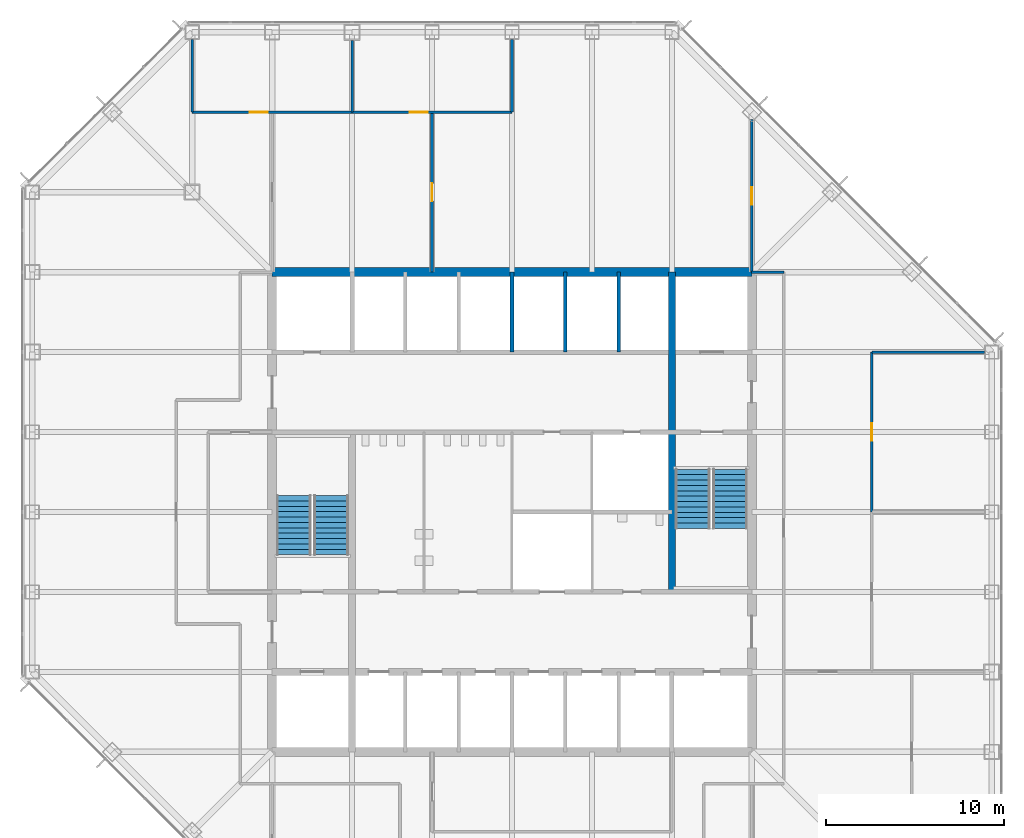
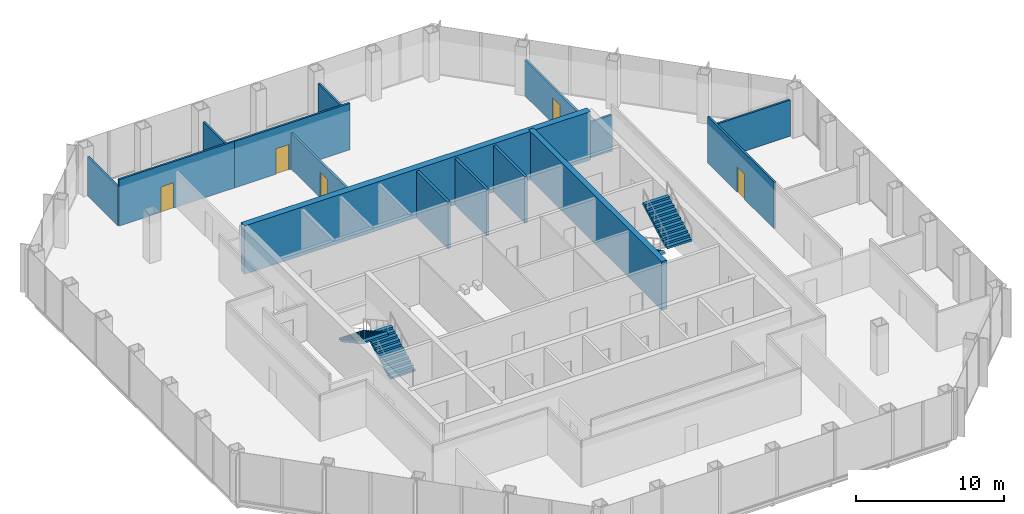
# One storey, part 10 of 12: 15 walls, 5 doors, 4 stair flights, 5 openings, 2 elements without a shape of their own.
"""IFC4 building model written with IfcOpenShell, lengths in metres."""

from ifc_helpers import new_model, si_unit, direction, frame, frame_2d, origin, place, context, subcontext, project, spatial, polyline, rectangle, outline, extrude, material, layer, layer_set, type_object, element, fill, aggregate, save


model = new_model("IFC4")

# Units and contexts
model_context = context("Model", 3, precision=1e-05, world=origin(), true_north=direction((0.0, 1.0)))
body_context = subcontext(model_context, "Body", "Model", "MODEL_VIEW")
ifc_project = project(units=[si_unit("LENGTHUNIT", "METRE"), si_unit("AREAUNIT", "SQUARE_METRE"), si_unit("VOLUMEUNIT", "CUBIC_METRE"), si_unit("PLANEANGLEUNIT", "RADIAN"), si_unit("MASSUNIT", "GRAM", prefix="KILO")], contexts=[model_context])

# Site, building, storey
site_placement = place(None, origin())
site = spatial("IfcSite", under=ifc_project, at=site_placement, CompositionType="ELEMENT")
building_placement = place(site_placement, origin())
building = spatial("IfcBuilding", under=site, at=building_placement, Name="Corais Broadcast Tower", CompositionType="ELEMENT")
storey_placement = place(building_placement, frame((0.0, 0.0, 115.60009765625)))
storey = spatial("IfcBuildingStorey", under=building, at=storey_placement, Name="L25", CompositionType="ELEMENT", Elevation=115.60009765625)

# Walls
ifc_material_1 = material(Name="Concrete C50/60", Category="concrete")
ifc_layer_1 = layer(ifc_material_1, 0.39990234375)
ifc_layer_set_1 = layer_set([ifc_layer_1], Name="Concrete C50/60")
wall_type_1 = type_object("IfcWallType", Name="Core wall 400", PredefinedType="SHEAR", material=ifc_layer_set_1)
wall_1_placement = place(storey_placement, frame((36.0, 22.5, 0.0), z_axis=(0.0, 0.0, 1.0), x_axis=(0.0, 1.0, 0.0)))
element("IfcWall", 1, at=wall_1_placement, inside=storey, type_object=wall_type_1, Name="CR400 core wall X36B L25", PredefinedType="SHEAR", context=body_context, shape_type="SweptSolid", body=[
    extrude(rectangle(XDim=18.0, YDim=0.39990234375, at=frame_2d((9.0, 0.0))), origin(), (0.0, 0.0, 1.0), 4.0),
])
ifc_material_2 = material(Name="Concrete C50/60", Category="concrete")
ifc_layer_2 = layer(ifc_material_2, 0.5)
ifc_layer_set_2 = layer_set([ifc_layer_2], Name="Concrete C50/60")
wall_type_2 = type_object("IfcWallType", Name="Core wall 500", PredefinedType="SHEAR", material=ifc_layer_set_2)
wall_2_placement = place(storey_placement, frame((40.5, 40.5, 0.0), z_axis=(0.0, 0.0, 1.0), x_axis=(-1.0, 0.0, 0.0)))
element("IfcWall", 2, at=wall_2_placement, inside=storey, type_object=wall_type_2, Name="CR500 core wall N L25", PredefinedType="SHEAR", context=body_context, shape_type="SweptSolid", body=[
    extrude(rectangle(XDim=27.0, YDim=0.5, at=frame_2d((13.5, 0.0))), origin(), (0.0, 0.0, 1.0), 4.0),
])
ifc_material_3 = material(Name="Gypsum board on steel studs", Category="steel")
ifc_layer_3 = layer(ifc_material_3, 0.14990234375)
ifc_layer_set_3 = layer_set([ifc_layer_3], Name="Gypsum board on steel studs")
wall_type_3 = type_object("IfcWallType", Name="Partition 150", PredefinedType="PARTITIONING", material=ifc_layer_set_3)
wall_3_placement = place(storey_placement, frame((42.300048828125, 40.5, 0.0), z_axis=(0.0, 0.0, 1.0), x_axis=(-1.0, 0.0, 0.0)))
element("IfcWall", 3, at=wall_3_placement, inside=storey, type_object=wall_type_3, Name="IW3 corridor wall L25", PredefinedType="PARTITIONING", context=body_context, shape_type="SweptSolid", body=[
    extrude(rectangle(XDim=1.81005859375, YDim=0.14990234375, at=frame_2d((0.905029296875, 0.0))), origin(), (0.0, 0.0, 1.0), 2.989013671875),
])
wall_4_placement = place(storey_placement, frame((53.590087890625, 36.0, 0.0), z_axis=(0.0, 0.0, 1.0), x_axis=(-1.0, 0.0, 0.0)))
element("IfcWall", 4, at=wall_4_placement, inside=storey, type_object=wall_type_3, Name="IW3 partition L25", PredefinedType="PARTITIONING", context=body_context, shape_type="SweptSolid", body=[
    extrude(rectangle(XDim=6.340087890625, YDim=0.14990234375, at=frame_2d((3.169921875, 0.0))), origin(), (0.0, 0.0, 1.0), 2.989013671875),
])

# Wall, opening, door
wall_5_placement = place(storey_placement, frame((47.25, 36.0, 0.0), z_axis=(0.0, 0.0, 1.0), x_axis=(0.0, -1.0, 0.0)))
wall_5 = element("IfcWall", 5, at=wall_5_placement, inside=storey, type_object=wall_type_3, Name="IW3 partition L25", PredefinedType="PARTITIONING", context=body_context, shape_type="SweptSolid", body=[
    extrude(rectangle(XDim=9.0, YDim=0.14990234375, at=frame_2d((4.5, 0.0))), origin(), (0.0, 0.0, 1.0), 3.83984375),
])
opening_1_placement = place(wall_5_placement, frame((4.0, 0.0, 0.0)))
opening_1 = element("IfcOpeningElement", 6, at=opening_1_placement, cuts=wall_5, Name="Opening D1", PredefinedType="OPENING", context=body_context, shape_type="SweptSolid", body=[
    extrude(rectangle(XDim=1.0, YDim=2.10009765625, at=frame_2d((0.5, 1.050048828125))), frame((0.0, 0.0849609375, 0.0), z_axis=(0.0, -1.0, 0.0), x_axis=(1.0, 0.0, 0.0)), (0.0, 0.0, 1.0), 0.169921875),
])
ifc_material_4 = material(Name="Timber door", Category="wood")
door_type = type_object("IfcDoorType", Name="Single door 1000x2100", OperationType="SINGLE_SWING_LEFT", PredefinedType="DOOR", material=ifc_material_4)
door_1_placement = place(opening_1_placement, origin())
door_1 = element("IfcDoor", 7, at=door_1_placement, inside=storey, type_object=door_type, Name="D1 Client lounge door", OperationType="SINGLE_SWING_LEFT", OverallHeight=2.10009765625, OverallWidth=1.0, PredefinedType="DOOR", context=body_context, shape_type="SweptSolid", body=[
    extrude(rectangle(XDim=1.0, YDim=2.10009765625, at=frame_2d((0.5, 1.050048828125))), frame((0.0, 0.02490234375, 0.0), z_axis=(0.0, -1.0, 0.0), x_axis=(1.0, 0.0, 0.0)), (0.0, 0.0, 1.0), 0.050048828125),
])
fill(opening_1, door_1)

wall_6_placement = place(storey_placement, frame((9.0, 49.5, 0.0), z_axis=(0.0, 0.0, 1.0), x_axis=(1.0, 0.0, 0.0)))
wall_6 = element("IfcWall", 8, at=wall_6_placement, inside=storey, type_object=wall_type_3, Name="IW3 partition L25", PredefinedType="PARTITIONING", context=body_context, shape_type="SweptSolid", body=[
    extrude(rectangle(XDim=9.0, YDim=0.14990234375, at=frame_2d((4.5, 0.0))), origin(), (0.0, 0.0, 1.0), 3.83984375),
])
opening_2_placement = place(wall_6_placement, frame((3.25, 0.0, 0.0)))
opening_2 = element("IfcOpeningElement", 9, at=opening_2_placement, cuts=wall_6, Name="Opening D1", PredefinedType="OPENING", context=body_context, shape_type="SweptSolid", body=[
    extrude(rectangle(XDim=1.0, YDim=2.10009765625, at=frame_2d((0.5, 1.050048828125))), frame((0.0, 0.0849609375, 0.0), z_axis=(0.0, -1.0, 0.0), x_axis=(1.0, 0.0, 0.0)), (0.0, 0.0, 1.0), 0.169921875),
])
door_2_placement = place(opening_2_placement, origin())
door_2 = element("IfcDoor", 10, at=door_2_placement, inside=storey, type_object=door_type, Name="D1 Client meeting room door", OperationType="SINGLE_SWING_LEFT", OverallHeight=2.10009765625, OverallWidth=1.0, PredefinedType="DOOR", context=body_context, shape_type="SweptSolid", body=[
    extrude(rectangle(XDim=1.0, YDim=2.10009765625, at=frame_2d((0.5, 1.050048828125))), frame((0.0, 0.02490234375, 0.0), z_axis=(0.0, -1.0, 0.0), x_axis=(1.0, 0.0, 0.0)), (0.0, 0.0, 1.0), 0.050048828125),
])
fill(opening_2, door_2)

# Walls
wall_7_placement = place(storey_placement, frame((18.0, 49.5, 0.0), z_axis=(0.0, 0.0, 1.0), x_axis=(0.0, 1.0, 0.0)))
element("IfcWall", 11, at=wall_7_placement, inside=storey, type_object=wall_type_3, Name="IW3 partition L25", PredefinedType="PARTITIONING", context=body_context, shape_type="SweptSolid", body=[
    extrude(rectangle(XDim=4.0400390625, YDim=0.14990234375, at=frame_2d((2.02001953125, 0.0))), origin(), (0.0, 0.0, 1.0), 2.989013671875),
])
wall_8_placement = place(storey_placement, frame((9.0, 53.590087890625, 0.0), z_axis=(0.0, 0.0, 1.0), x_axis=(0.0, -1.0, 0.0)))
element("IfcWall", 12, at=wall_8_placement, inside=storey, type_object=wall_type_3, Name="IW3 partition L25", PredefinedType="PARTITIONING", context=body_context, shape_type="SweptSolid", body=[
    extrude(rectangle(XDim=4.090087890625, YDim=0.14990234375, at=frame_2d((2.044921875, 0.0))), origin(), (0.0, 0.0, 1.0), 3.22900390625),
])

# Wall, opening, door
wall_9_placement = place(storey_placement, frame((18.0, 49.5, 0.0), z_axis=(0.0, 0.0, 1.0), x_axis=(1.0, 0.0, 0.0)))
wall_9 = element("IfcWall", 13, at=wall_9_placement, inside=storey, type_object=wall_type_3, Name="IW3 partition L25", PredefinedType="PARTITIONING", context=body_context, shape_type="SweptSolid", body=[
    extrude(rectangle(XDim=9.0, YDim=0.14990234375, at=frame_2d((4.5, 0.0))), origin(), (0.0, 0.0, 1.0), 3.83984375),
])
opening_3_placement = place(wall_9_placement, frame((3.25, 0.0, 0.0)))
opening_3 = element("IfcOpeningElement", 14, at=opening_3_placement, cuts=wall_9, Name="Opening D1", PredefinedType="OPENING", context=body_context, shape_type="SweptSolid", body=[
    extrude(rectangle(XDim=1.0, YDim=2.10009765625, at=frame_2d((0.5, 1.050048828125))), frame((0.0, 0.0849609375, 0.0), z_axis=(0.0, -1.0, 0.0), x_axis=(1.0, 0.0, 0.0)), (0.0, 0.0, 1.0), 0.169921875),
])
door_3_placement = place(opening_3_placement, origin())
door_3 = element("IfcDoor", 15, at=door_3_placement, inside=storey, type_object=door_type, Name="D1 Client meeting room door", OperationType="SINGLE_SWING_LEFT", OverallHeight=2.10009765625, OverallWidth=1.0, PredefinedType="DOOR", context=body_context, shape_type="SweptSolid", body=[
    extrude(rectangle(XDim=1.0, YDim=2.10009765625, at=frame_2d((0.5, 1.050048828125))), frame((0.0, 0.02490234375, 0.0), z_axis=(0.0, -1.0, 0.0), x_axis=(1.0, 0.0, 0.0)), (0.0, 0.0, 1.0), 0.050048828125),
])
fill(opening_3, door_3)

# Wall
wall_10_placement = place(storey_placement, frame((27.0, 49.5, 0.0), z_axis=(0.0, 0.0, 1.0), x_axis=(0.0, 1.0, 0.0)))
element("IfcWall", 16, at=wall_10_placement, inside=storey, type_object=wall_type_3, Name="IW3 partition L25", PredefinedType="PARTITIONING", context=body_context, shape_type="SweptSolid", body=[
    extrude(rectangle(XDim=4.090087890625, YDim=0.14990234375, at=frame_2d((2.044921875, 0.0))), origin(), (0.0, 0.0, 1.0), 2.989013671875),
])

# Wall, opening, door
wall_11_placement = place(storey_placement, frame((40.5, 49.080078125, 0.0), z_axis=(0.0, 0.0, 1.0), x_axis=(0.0, -1.0, 0.0)))
wall_11 = element("IfcWall", 17, at=wall_11_placement, inside=storey, type_object=wall_type_3, Name="IW3 partition L25", PredefinedType="PARTITIONING", context=body_context, shape_type="SweptSolid", body=[
    extrude(rectangle(XDim=8.580078125, YDim=0.14990234375, at=frame_2d((4.2900390625, 0.0))), origin(), (0.0, 0.0, 1.0), 2.989013671875),
])
opening_4_placement = place(wall_11_placement, frame((3.7900390625, 0.0, 0.0)))
opening_4 = element("IfcOpeningElement", 18, at=opening_4_placement, cuts=wall_11, Name="Opening D1", PredefinedType="OPENING", context=body_context, shape_type="SweptSolid", body=[
    extrude(rectangle(XDim=1.0, YDim=2.10009765625, at=frame_2d((0.5, 1.050048828125))), frame((0.0, 0.0849609375, 0.0), z_axis=(0.0, -1.0, 0.0), x_axis=(1.0, 0.0, 0.0)), (0.0, 0.0, 1.0), 0.169921875),
])
door_4_placement = place(opening_4_placement, origin())
door_4 = element("IfcDoor", 19, at=door_4_placement, inside=storey, type_object=door_type, Name="D1 team room door L25", OperationType="SINGLE_SWING_LEFT", OverallHeight=2.10009765625, OverallWidth=1.0, PredefinedType="DOOR", context=body_context, shape_type="SweptSolid", body=[
    extrude(rectangle(XDim=1.0, YDim=2.10009765625, at=frame_2d((0.5, 1.050048828125))), frame((0.0, 0.02490234375, 0.0), z_axis=(0.0, -1.0, 0.0), x_axis=(1.0, 0.0, 0.0)), (0.0, 0.0, 1.0), 0.050048828125),
])
fill(opening_4, door_4)

wall_12_placement = place(storey_placement, frame((22.5, 40.5, 0.0), z_axis=(0.0, 0.0, 1.0), x_axis=(0.0, 1.0, 0.0)))
wall_12 = element("IfcWall", 20, at=wall_12_placement, inside=storey, type_object=wall_type_3, Name="IW3 partition L25", PredefinedType="PARTITIONING", context=body_context, shape_type="SweptSolid", body=[
    extrude(rectangle(XDim=9.0, YDim=0.14990234375, at=frame_2d((4.5, 0.0))), origin(), (0.0, 0.0, 1.0), 2.989013671875),
])
opening_5_placement = place(wall_12_placement, frame((4.0, 0.0, 0.0)))
opening_5 = element("IfcOpeningElement", 21, at=opening_5_placement, cuts=wall_12, Name="Opening D1", PredefinedType="OPENING", context=body_context, shape_type="SweptSolid", body=[
    extrude(rectangle(XDim=1.0, YDim=2.10009765625, at=frame_2d((0.5, 1.050048828125))), frame((0.0, 0.0849609375, 0.0), z_axis=(0.0, -1.0, 0.0), x_axis=(1.0, 0.0, 0.0)), (0.0, 0.0, 1.0), 0.169921875),
])
door_5_placement = place(opening_5_placement, origin())
door_5 = element("IfcDoor", 22, at=door_5_placement, inside=storey, type_object=door_type, Name="D1 team room door L25", OperationType="SINGLE_SWING_LEFT", OverallHeight=2.10009765625, OverallWidth=1.0, PredefinedType="DOOR", context=body_context, shape_type="SweptSolid", body=[
    extrude(rectangle(XDim=1.0, YDim=2.10009765625, at=frame_2d((0.5, 1.050048828125))), frame((0.0, 0.02490234375, 0.0), z_axis=(0.0, -1.0, 0.0), x_axis=(1.0, 0.0, 0.0)), (0.0, 0.0, 1.0), 0.050048828125),
])
fill(opening_5, door_5)

# Walls
ifc_material_5 = material(Name="Concrete blockwork class A, grouted, two-hour", Category="masonry")
ifc_layer_4 = layer(ifc_material_5, 0.199951171875)
ifc_layer_set_4 = layer_set([ifc_layer_4], Name="Concrete blockwork class A, grouted, two-hour")
wall_type_4 = type_object("IfcWallType", Name="Shaft wall 200", PredefinedType="PARTITIONING", material=ifc_layer_set_4)
for number, where, z_axis, x_axis, name in (
    (23, (27.0, 36.0, 0.0), (0.0, 0.0, 1.0), (0.0, 1.0, 0.0), "IW1 shaft wall L25"),
    (24, (30.0, 36.0, 0.0), (0.0, 0.0, 1.0), (0.0, 1.0, 0.0), "IW1 shaft wall L25"),
    (25, (33.0, 36.0, 0.0), (0.0, 0.0, 1.0), (0.0, 1.0, 0.0), "IW1 shaft wall L25"),
):
    element("IfcWall", number, at=place(storey_placement, frame(where, z_axis=z_axis, x_axis=x_axis)), inside=storey, type_object=wall_type_4, Name=name, PredefinedType="PARTITIONING", context=body_context, shape_type="SweptSolid", body=[
        extrude(rectangle(XDim=4.5, YDim=0.199951171875, at=frame_2d((2.25, 0.0))), origin(), (0.0, 0.0, 1.0), 3.83984375),
    ])

# Stair, stair flights
ifc_material_6 = material(Name="Concrete C30/37", Category="concrete")
stair_type = type_object("IfcStairType", Name="Half-turn stair 4000", PredefinedType="HALF_TURN_STAIR", material=ifc_material_6)
stair_1_placement = place(storey_placement, origin())
stair_1 = element("IfcStair", 26, at=stair_1_placement, inside=storey, type_object=stair_type, Name="Stair A L25", PredefinedType="HALF_TURN_STAIR")
ifc_material_7 = material(Name="Concrete C30/37", Category="concrete")
stair_flight_type = type_object("IfcStairFlightType", Name="Stair flight 4000", PredefinedType="STRAIGHT", material=ifc_material_7)
stair_flight_1_placement = place(storey_placement, frame((16.824951171875, 24.60009765625, 0.0), z_axis=(0.0, 0.0, 1.0), x_axis=(0.0, 1.0, 0.0)))
stair_flight_1 = element("IfcStairFlight", 27, at=stair_flight_1_placement, type_object=stair_flight_type, Name="STA flight 1", NumberOfRisers=12, NumberOfTreads=11, PredefinedType="STRAIGHT", RiserHeight=0.166666667, TreadLength=0.302, context=body_context, shape_type="SweptSolid", body=[
    extrude(outline(polyline([(0.0, 0.0), (0.0, 0.166748046875), (0.302001953125, 0.166748046875), (0.302001953125, 0.333251953125), (0.60400390625, 0.333251953125), (0.60400390625, 0.5), (0.906005859375, 0.5), (0.906005859375, 0.666748046875), (1.2080078125, 0.666748046875), (1.2080078125, 0.833251953125), (1.510009765625, 0.833251953125), (1.510009765625, 1.0), (1.81201171875, 1.0), (1.81201171875, 1.166748046875), (2.114013671875, 1.166748046875), (2.114013671875, 1.333251953125), (2.416015625, 1.333251953125), (2.416015625, 1.5), (2.718017578125, 1.5), (2.718017578125, 1.666748046875), (3.02001953125, 1.666748046875), (3.02001953125, 1.833251953125), (3.322021484375, 1.833251953125), (3.322021484375, 2.0), (3.322021484375, 1.662109375), (0.310302734375, 0.0), (0.0, 0.0)])), frame((0.0, 0.97509765625, 0.0), z_axis=(0.0, -1.0, 0.0), x_axis=(1.0, 0.0, 0.0)), (0.0, 0.0, 1.0), 1.949951171875),
])
stair_flight_2_placement = place(storey_placement, frame((14.72509765625, 27.922119140625, 2.0), z_axis=(0.0, 0.0, 1.0), x_axis=(0.0, -1.0, 0.0)))
stair_flight_2 = element("IfcStairFlight", 28, at=stair_flight_2_placement, type_object=stair_flight_type, Name="STA flight 2", NumberOfRisers=12, NumberOfTreads=11, PredefinedType="STRAIGHT", RiserHeight=0.166666667, TreadLength=0.302, context=body_context, shape_type="SweptSolid", body=[
    extrude(outline(polyline([(0.0, 0.0), (0.0, 0.166748046875), (0.302001953125, 0.166748046875), (0.302001953125, 0.333251953125), (0.60400390625, 0.333251953125), (0.60400390625, 0.5), (0.906005859375, 0.5), (0.906005859375, 0.666748046875), (1.2080078125, 0.666748046875), (1.2080078125, 0.833251953125), (1.510009765625, 0.833251953125), (1.510009765625, 1.0), (1.81201171875, 1.0), (1.81201171875, 1.166748046875), (2.114013671875, 1.166748046875), (2.114013671875, 1.333251953125), (2.416015625, 1.333251953125), (2.416015625, 1.5), (2.718017578125, 1.5), (2.718017578125, 1.666748046875), (3.02001953125, 1.666748046875), (3.02001953125, 1.833251953125), (3.322021484375, 1.833251953125), (3.322021484375, 2.0), (3.322021484375, 1.662109375), (0.310302734375, 0.0), (0.0, 0.0)])), frame((0.0, 0.97509765625, 0.0), z_axis=(0.0, -1.0, 0.0), x_axis=(1.0, 0.0, 0.0)), (0.0, 0.0, 1.0), 1.949951171875),
])
aggregate(stair_1, [stair_flight_1, stair_flight_2])

stair_2_placement = place(storey_placement, origin())
stair_2 = element("IfcStair", 29, at=stair_2_placement, inside=storey, type_object=stair_type, Name="Stair B L25", PredefinedType="HALF_TURN_STAIR")
stair_flight_3_placement = place(storey_placement, frame((37.175048828125, 29.39990234375, 0.0), z_axis=(0.0, 0.0, 1.0), x_axis=(0.0, -1.0, 0.0)))
stair_flight_3 = element("IfcStairFlight", 30, at=stair_flight_3_placement, type_object=stair_flight_type, Name="STB flight 1", NumberOfRisers=12, NumberOfTreads=11, PredefinedType="STRAIGHT", RiserHeight=0.166666667, TreadLength=0.302, context=body_context, shape_type="SweptSolid", body=[
    extrude(outline(polyline([(0.0, 0.0), (0.0, 0.166748046875), (0.302001953125, 0.166748046875), (0.302001953125, 0.333251953125), (0.60400390625, 0.333251953125), (0.60400390625, 0.5), (0.906005859375, 0.5), (0.906005859375, 0.666748046875), (1.2080078125, 0.666748046875), (1.2080078125, 0.833251953125), (1.510009765625, 0.833251953125), (1.510009765625, 1.0), (1.81201171875, 1.0), (1.81201171875, 1.166748046875), (2.114013671875, 1.166748046875), (2.114013671875, 1.333251953125), (2.416015625, 1.333251953125), (2.416015625, 1.5), (2.718017578125, 1.5), (2.718017578125, 1.666748046875), (3.02001953125, 1.666748046875), (3.02001953125, 1.833251953125), (3.322021484375, 1.833251953125), (3.322021484375, 2.0), (3.322021484375, 1.662109375), (0.310302734375, 0.0), (0.0, 0.0)])), frame((0.0, 0.97509765625, 0.0), z_axis=(0.0, -1.0, 0.0), x_axis=(1.0, 0.0, 0.0)), (0.0, 0.0, 1.0), 1.949951171875),
])
stair_flight_4_placement = place(storey_placement, frame((39.27490234375, 26.077880859375, 2.0), z_axis=(0.0, 0.0, 1.0), x_axis=(0.0, 1.0, 0.0)))
stair_flight_4 = element("IfcStairFlight", 31, at=stair_flight_4_placement, type_object=stair_flight_type, Name="STB flight 2", NumberOfRisers=12, NumberOfTreads=11, PredefinedType="STRAIGHT", RiserHeight=0.166666667, TreadLength=0.302, context=body_context, shape_type="SweptSolid", body=[
    extrude(outline(polyline([(0.0, 0.0), (0.0, 0.166748046875), (0.302001953125, 0.166748046875), (0.302001953125, 0.333251953125), (0.60400390625, 0.333251953125), (0.60400390625, 0.5), (0.906005859375, 0.5), (0.906005859375, 0.666748046875), (1.2080078125, 0.666748046875), (1.2080078125, 0.833251953125), (1.510009765625, 0.833251953125), (1.510009765625, 1.0), (1.81201171875, 1.0), (1.81201171875, 1.166748046875), (2.114013671875, 1.166748046875), (2.114013671875, 1.333251953125), (2.416015625, 1.333251953125), (2.416015625, 1.5), (2.718017578125, 1.5), (2.718017578125, 1.666748046875), (3.02001953125, 1.666748046875), (3.02001953125, 1.833251953125), (3.322021484375, 1.833251953125), (3.322021484375, 2.0), (3.322021484375, 1.662109375), (0.310302734375, 0.0), (0.0, 0.0)])), frame((0.0, 0.97509765625, 0.0), z_axis=(0.0, -1.0, 0.0), x_axis=(1.0, 0.0, 0.0)), (0.0, 0.0, 1.0), 1.949951171875),
])
aggregate(stair_2, [stair_flight_3, stair_flight_4])

save(model, "model.ifc")
